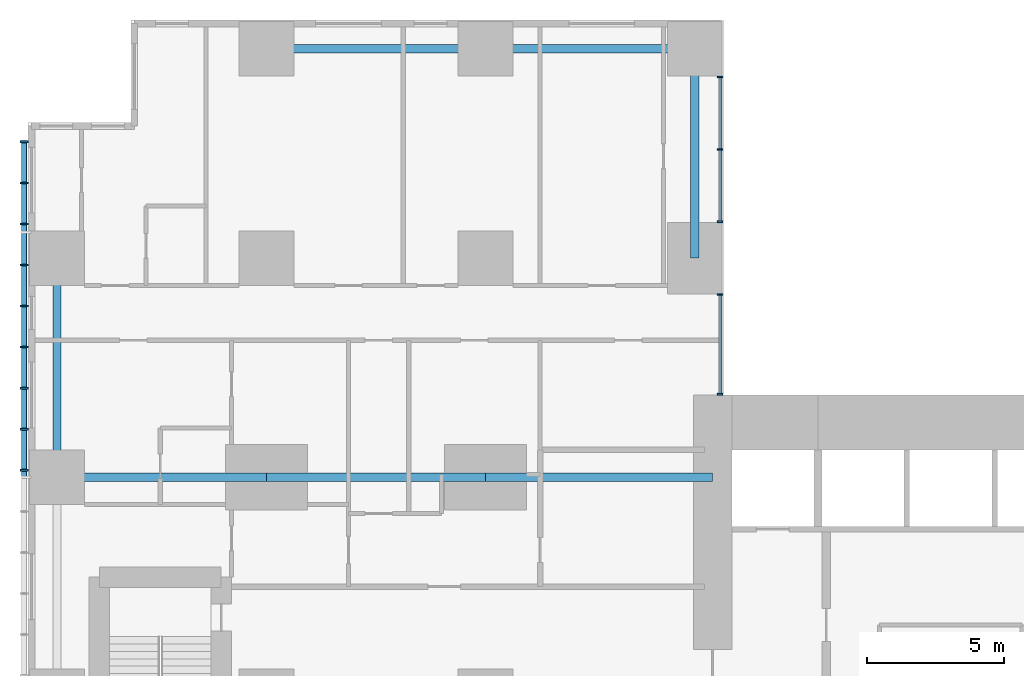
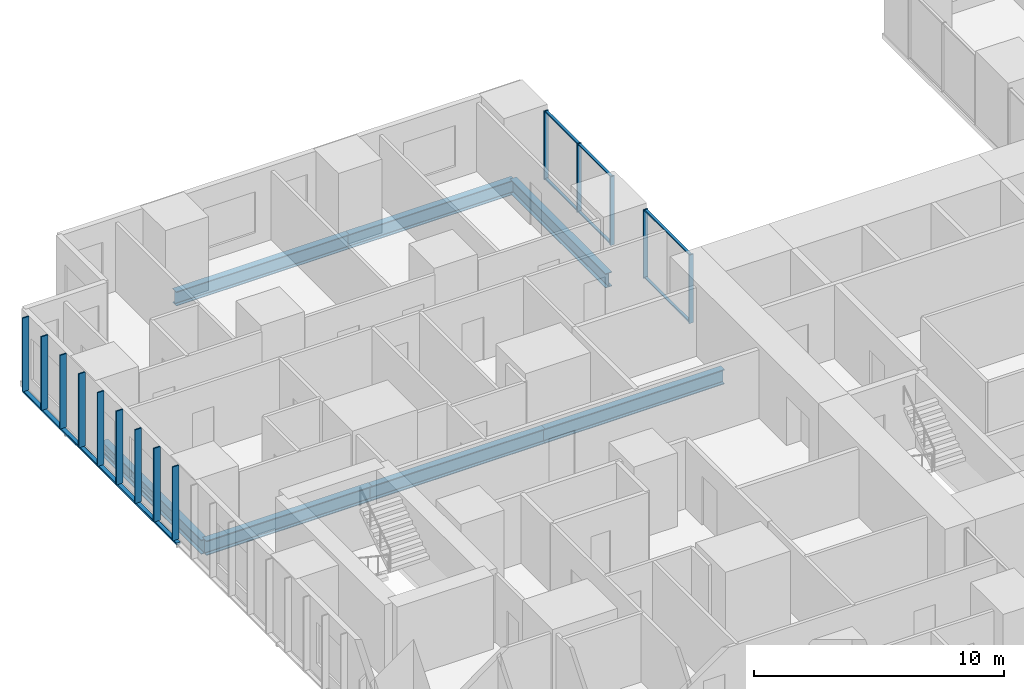
# One storey, part 4 of 20: 21 members, 7 beams, 2 elements without a shape of their own.
"""IFC4 building model written with IfcOpenShell, lengths in metres."""

from ifc_helpers import new_model, si_unit, direction, frame, origin, origin_2d, place, context, subcontext, project, spatial, rectangle, hollow_rectangle, i_section, extrude, material, layer, layer_set, material_profile, profile_set, type_object, element, aggregate, save


model = new_model("IFC4")

# Units and contexts
model_context = context("Model", 3, precision=1e-05, world=origin(), true_north=direction((0.0, 1.0)))
body_context = subcontext(model_context, "Body", "Model", "MODEL_VIEW")
ifc_project = project(units=[si_unit("LENGTHUNIT", "METRE"), si_unit("AREAUNIT", "SQUARE_METRE"), si_unit("VOLUMEUNIT", "CUBIC_METRE"), si_unit("PLANEANGLEUNIT", "RADIAN"), si_unit("MASSUNIT", "GRAM", prefix="KILO")], contexts=[model_context])

# Site, building, storey
site_placement = place(None, origin())
site = spatial("IfcSite", under=ifc_project, at=site_placement, CompositionType="ELEMENT")
building_placement = place(site_placement, origin())
building = spatial("IfcBuilding", under=site, at=building_placement, Name="Cleftline Residences", CompositionType="ELEMENT")
storey_placement = place(building_placement, frame((0.0, 0.0, 33.199951171875)))
storey = spatial("IfcBuildingStorey", under=building, at=storey_placement, Name="L07", CompositionType="ELEMENT", Elevation=33.199951171875)

# Member
ifc_material_1 = material(Name="Steel S355, hot-dip galvanised", Category="steel")
ifc_material_profile_1 = material_profile(ifc_material_1, hollow_rectangle(XDim=0.10009765625, YDim=0.199951171875, WallThickness=0.008056640625, InnerFilletRadius=0.008056640625, OuterFilletRadius=0.011962890625, at=origin_2d()))
ifc_profile_set_1 = profile_set([ifc_material_profile_1], Name="Steel S355, hot-dip galvanised")
member_type_1 = type_object("IfcMemberType", Name="BAGUETTE CARRIER RHS 200X100X8", PredefinedType="USERDEFINED", material=ifc_profile_set_1)
member_1_placement = place(storey_placement, frame((-0.85009765625, 44.300048828125, -0.050048828125), z_axis=(0.0, -1.0, 0.0), x_axis=(0.0, 0.0, 1.0)))
element("IfcMember", 1, at=member_1_placement, inside=storey, type_object=member_type_1, Name="Baguette carrier", ObjectType="BAGUETTE CARRIER", PredefinedType="USERDEFINED", context=body_context, shape_type="SweptSolid", body=[
    extrude(hollow_rectangle(XDim=0.10009765625, YDim=0.199951171875, WallThickness=0.008056640625, InnerFilletRadius=0.008056640625, OuterFilletRadius=0.011962890625, at=origin_2d()), origin(), (0.0, 0.0, 1.0), 12.300048828125),
])

# Beams
ifc_material_2 = material(Name="Steel S355", Category="steel")
ifc_material_profile_2 = material_profile(ifc_material_2, i_section(OverallWidth=0.300048828125, OverallDepth=0.699951171875, WebThickness=0.01708984375, FlangeThickness=0.031982421875, FilletRadius=0.027099609375, at=origin_2d()))
ifc_profile_set_2 = profile_set([ifc_material_profile_2], Name="Steel S355")
beam_type_1 = type_object("IfcBeamType", Name="BEAM HEB 700", PredefinedType="BEAM", material=ifc_profile_set_2)
for number, where, z_axis, x_axis, name in (
    (2, (0.35009765625, 32.0, -0.599853515625), (0.0, 1.0, 0.0), (-1.0, 0.0, 0.0), "Edge beam"),
    (3, (8.0, 47.64990234375, -0.599853515625), (1.0, 0.0, 0.0), (0.0, 1.0, 0.0), "Edge beam"),
):
    element("IfcBeam", number, at=place(storey_placement, frame(where, z_axis=z_axis, x_axis=x_axis)), inside=storey, type_object=beam_type_1, Name=name, PredefinedType="BEAM", context=body_context, shape_type="SweptSolid", body=[
        extrude(i_section(OverallWidth=0.300048828125, OverallDepth=0.699951171875, WebThickness=0.01708984375, FlangeThickness=0.031982421875, FilletRadius=0.027099609375, at=origin_2d()), origin(), (0.0, 0.0, 1.0), 8.0),
    ])
for number, where, z_axis, x_axis, name in (
    (4, (16.0, 47.64990234375, -0.599853515625), (1.0, 0.0, 0.0), (0.0, 1.0, 0.0), "Edge beam"),
    (5, (23.64990234375, 47.64990234375, -0.599853515625), (0.0, -1.0, 0.0), (1.0, 0.0, 0.0), "Edge beam"),
):
    element("IfcBeam", number, at=place(storey_placement, frame(where, z_axis=z_axis, x_axis=x_axis)), inside=storey, type_object=beam_type_1, Name=name, PredefinedType="BEAM", context=body_context, shape_type="SweptSolid", body=[
        extrude(i_section(OverallWidth=0.300048828125, OverallDepth=0.699951171875, WebThickness=0.01708984375, FlangeThickness=0.031982421875, FilletRadius=0.027099609375, at=origin_2d()), origin(), (0.0, 0.0, 1.0), 7.64990234375),
    ])
ifc_material_3 = material(Name="Steel S355", Category="steel")
ifc_material_profile_3 = material_profile(ifc_material_3, i_section(OverallWidth=0.303955078125, OverallDepth=0.716064453125, WebThickness=0.02099609375, FlangeThickness=0.0400390625, FilletRadius=0.027099609375, at=origin_2d()))
ifc_profile_set_3 = profile_set([ifc_material_profile_3], Name="Steel S355")
beam_type_2 = type_object("IfcBeamType", Name="BEAM HEM 700", PredefinedType="BEAM", material=ifc_profile_set_3)
beam_1_placement = place(storey_placement, frame((0.35009765625, 32.0, -0.60791015625), z_axis=(1.0, 0.0, 0.0), x_axis=(0.0, 1.0, 0.0)))
element("IfcBeam", 6, at=beam_1_placement, inside=storey, type_object=beam_type_2, Name="Band beam", PredefinedType="BEAM", context=body_context, shape_type="SweptSolid", body=[
    extrude(i_section(OverallWidth=0.303955078125, OverallDepth=0.716064453125, WebThickness=0.02099609375, FlangeThickness=0.0400390625, FilletRadius=0.027099609375, at=origin_2d()), origin(), (0.0, 0.0, 1.0), 7.64990234375),
])
beam_2_placement = place(storey_placement, frame((8.0, 32.0, -0.60791015625), z_axis=(1.0, 0.0, 0.0), x_axis=(0.0, 1.0, 0.0)))
element("IfcBeam", 7, at=beam_2_placement, inside=storey, type_object=beam_type_2, Name="Band beam", PredefinedType="BEAM", context=body_context, shape_type="SweptSolid", body=[
    extrude(i_section(OverallWidth=0.303955078125, OverallDepth=0.716064453125, WebThickness=0.02099609375, FlangeThickness=0.0400390625, FilletRadius=0.027099609375, at=origin_2d()), origin(), (0.0, 0.0, 1.0), 8.0),
])
beam_3_placement = place(storey_placement, frame((16.0, 32.0, -0.60791015625), z_axis=(1.0, 0.0, 0.0), x_axis=(0.0, 1.0, 0.0)))
element("IfcBeam", 8, at=beam_3_placement, inside=storey, type_object=beam_type_2, Name="Band beam", PredefinedType="BEAM", context=body_context, shape_type="SweptSolid", body=[
    extrude(i_section(OverallWidth=0.303955078125, OverallDepth=0.716064453125, WebThickness=0.02099609375, FlangeThickness=0.0400390625, FilletRadius=0.027099609375, at=origin_2d()), origin(), (0.0, 0.0, 1.0), 8.300048828125),
])

# Curtain wall, members
ifc_material_4 = material(Name="Aluminium framed curtain wall", Category="aluminium")
ifc_layer = layer(ifc_material_4, 0.199951171875)
ifc_layer_set = layer_set([ifc_layer], Name="CW1 CLEFT GLAZING")
curtain_wall_type = type_object("IfcCurtainWallType", Name="CW1 CLEFT GLAZING", PredefinedType="NOTDEFINED", material=ifc_layer_set)
curtain_wall_1_placement = place(storey_placement, origin())
curtain_wall_1 = element("IfcCurtainWall", 9, at=curtain_wall_1_placement, inside=storey, type_object=curtain_wall_type, Name="Curtain wall CW1", PredefinedType="NOTDEFINED")
ifc_material_5 = material(Name="Aluminium mullion", Category="aluminium")
ifc_material_profile_4 = material_profile(ifc_material_5, rectangle(XDim=0.199951171875, YDim=0.06005859375, at=origin_2d()))
ifc_profile_set_4 = profile_set([ifc_material_profile_4], Name="Aluminium mullion")
member_type_2 = type_object("IfcMemberType", Name="CW1 MULLION", PredefinedType="MULLION", material=ifc_profile_set_4)
member_2_placement = place(storey_placement, frame((24.574951171875, 35.030029296875, 0.0), z_axis=(0.0, 0.0, 1.0), x_axis=(-1.0, 0.0, 0.0)))
member_2 = element("IfcMember", 10, at=member_2_placement, type_object=member_type_2, Name="CW1 mullion 1", PredefinedType="MULLION", context=body_context, shape_type="SweptSolid", body=[
    extrude(rectangle(XDim=0.199951171875, YDim=0.06005859375, at=origin_2d()), origin(), (0.0, 0.0, 1.0), 3.35009765625),
])
member_3_placement = place(storey_placement, frame((24.574951171875, 38.669921875, 0.0), z_axis=(0.0, 0.0, 1.0), x_axis=(-1.0, 0.0, 0.0)))
member_3 = element("IfcMember", 11, at=member_3_placement, type_object=member_type_2, Name="CW1 mullion 2", PredefinedType="MULLION", context=body_context, shape_type="SweptSolid", body=[
    extrude(rectangle(XDim=0.199951171875, YDim=0.06005859375, at=origin_2d()), origin(), (0.0, 0.0, 1.0), 3.35009765625),
])

curtain_wall_2_placement = place(storey_placement, origin())
curtain_wall_2 = element("IfcCurtainWall", 12, at=curtain_wall_2_placement, inside=storey, type_object=curtain_wall_type, Name="Curtain wall CW1", PredefinedType="NOTDEFINED")
member_4_placement = place(storey_placement, frame((24.574951171875, 41.330078125, 0.0), z_axis=(0.0, 0.0, 1.0), x_axis=(-1.0, 0.0, 0.0)))
member_4 = element("IfcMember", 13, at=member_4_placement, type_object=member_type_2, Name="CW1 mullion 1", PredefinedType="MULLION", context=body_context, shape_type="SweptSolid", body=[
    extrude(rectangle(XDim=0.199951171875, YDim=0.06005859375, at=origin_2d()), origin(), (0.0, 0.0, 1.0), 3.35009765625),
])
member_5_placement = place(storey_placement, frame((24.574951171875, 43.97509765625, 0.0), z_axis=(0.0, 0.0, 1.0), x_axis=(-1.0, 0.0, 0.0)))
member_5 = element("IfcMember", 14, at=member_5_placement, type_object=member_type_2, Name="CW1 mullion 2", PredefinedType="MULLION", context=body_context, shape_type="SweptSolid", body=[
    extrude(rectangle(XDim=0.199951171875, YDim=0.06005859375, at=origin_2d()), origin(), (0.0, 0.0, 1.0), 3.35009765625),
])
member_6_placement = place(storey_placement, frame((24.574951171875, 46.6201171875, 0.0), z_axis=(0.0, 0.0, 1.0), x_axis=(-1.0, 0.0, 0.0)))
member_6 = element("IfcMember", 15, at=member_6_placement, type_object=member_type_2, Name="CW1 mullion 3", PredefinedType="MULLION", context=body_context, shape_type="SweptSolid", body=[
    extrude(rectangle(XDim=0.199951171875, YDim=0.06005859375, at=origin_2d()), origin(), (0.0, 0.0, 1.0), 3.35009765625),
])

# Member
ifc_material_6 = material(Name="Aluminium transom", Category="aluminium")
ifc_material_profile_5 = material_profile(ifc_material_6, rectangle(XDim=0.1201171875, YDim=0.06005859375, at=origin_2d()))
ifc_profile_set_5 = profile_set([ifc_material_profile_5], Name="Aluminium transom")
member_type_3 = type_object("IfcMemberType", Name="CW1 TRANSOM", PredefinedType="USERDEFINED", material=ifc_profile_set_5)
member_7_placement = place(storey_placement, frame((24.574951171875, 35.06005859375, 0.030029296875), z_axis=(0.0, 1.0, 0.0), x_axis=(-1.0, 0.0, 0.0)))
member_7 = element("IfcMember", 16, at=member_7_placement, type_object=member_type_3, Name="CW1 transom 1.1", ObjectType="TRANSOM", PredefinedType="USERDEFINED", context=body_context, shape_type="SweptSolid", body=[
    extrude(rectangle(XDim=0.1201171875, YDim=0.06005859375, at=origin_2d()), origin(), (0.0, 0.0, 1.0), 3.579833984375),
])

member_8_placement = place(storey_placement, frame((24.574951171875, 35.06005859375, 3.320068359375), z_axis=(0.0, 1.0, 0.0), x_axis=(-1.0, 0.0, 0.0)))
member_8 = element("IfcMember", 17, at=member_8_placement, type_object=member_type_3, Name="CW1 transom 1.2", ObjectType="TRANSOM", PredefinedType="USERDEFINED", context=body_context, shape_type="SweptSolid", body=[
    extrude(rectangle(XDim=0.1201171875, YDim=0.06005859375, at=origin_2d()), origin(), (0.0, 0.0, 1.0), 3.579833984375),
])

aggregate(curtain_wall_1, [member_2, member_3, member_7, member_8])

member_9_placement = place(storey_placement, frame((24.574951171875, 41.360107421875, 0.030029296875), z_axis=(0.0, 1.0, 0.0), x_axis=(-1.0, 0.0, 0.0)))
member_9 = element("IfcMember", 18, at=member_9_placement, type_object=member_type_3, Name="CW1 transom 1.1", ObjectType="TRANSOM", PredefinedType="USERDEFINED", context=body_context, shape_type="SweptSolid", body=[
    extrude(rectangle(XDim=0.1201171875, YDim=0.06005859375, at=origin_2d()), origin(), (0.0, 0.0, 1.0), 2.5849609375),
])

member_10_placement = place(storey_placement, frame((24.574951171875, 41.360107421875, 3.320068359375), z_axis=(0.0, 1.0, 0.0), x_axis=(-1.0, 0.0, 0.0)))
member_10 = element("IfcMember", 19, at=member_10_placement, type_object=member_type_3, Name="CW1 transom 1.2", ObjectType="TRANSOM", PredefinedType="USERDEFINED", context=body_context, shape_type="SweptSolid", body=[
    extrude(rectangle(XDim=0.1201171875, YDim=0.06005859375, at=origin_2d()), origin(), (0.0, 0.0, 1.0), 2.5849609375),
])

member_11_placement = place(storey_placement, frame((24.574951171875, 44.0048828125, 0.030029296875), z_axis=(0.0, 1.0, 0.0), x_axis=(-1.0, 0.0, 0.0)))
member_11 = element("IfcMember", 20, at=member_11_placement, type_object=member_type_3, Name="CW1 transom 2.1", ObjectType="TRANSOM", PredefinedType="USERDEFINED", context=body_context, shape_type="SweptSolid", body=[
    extrude(rectangle(XDim=0.1201171875, YDim=0.06005859375, at=origin_2d()), origin(), (0.0, 0.0, 1.0), 2.585205078125),
])

member_12_placement = place(storey_placement, frame((24.574951171875, 44.0048828125, 3.320068359375), z_axis=(0.0, 1.0, 0.0), x_axis=(-1.0, 0.0, 0.0)))
member_12 = element("IfcMember", 21, at=member_12_placement, type_object=member_type_3, Name="CW1 transom 2.2", ObjectType="TRANSOM", PredefinedType="USERDEFINED", context=body_context, shape_type="SweptSolid", body=[
    extrude(rectangle(XDim=0.1201171875, YDim=0.06005859375, at=origin_2d()), origin(), (0.0, 0.0, 1.0), 2.585205078125),
])

aggregate(curtain_wall_2, [member_4, member_5, member_6, member_9, member_10, member_11, member_12])

# Members
ifc_material_7 = material(Name="Extruded terracotta", Category="masonry")
ifc_material_profile_6 = material_profile(ifc_material_7, rectangle(XDim=0.06005859375, YDim=0.300048828125, at=origin_2d()))
ifc_profile_set_6 = profile_set([ifc_material_profile_6], Name="Extruded terracotta")
member_type_4 = type_object("IfcMemberType", Name="TERRACOTTA BAGUETTE 60X300", PredefinedType="USERDEFINED", material=ifc_profile_set_6)
for number, where, z_axis, x_axis, name in (
    (22, (-0.85009765625, 44.25, 0.0), (0.0, 0.0, 1.0), (0.0, 1.0, 0.0), "Terracotta baguette"),
    (23, (-0.85009765625, 42.75, 0.0), (0.0, 0.0, 1.0), (0.0, 1.0, 0.0), "Terracotta baguette"),
    (24, (-0.85009765625, 41.25, 0.0), (0.0, 0.0, 1.0), (0.0, 1.0, 0.0), "Terracotta baguette"),
    (25, (-0.85009765625, 39.75, 0.0), (0.0, 0.0, 1.0), (0.0, 1.0, 0.0), "Terracotta baguette"),
    (26, (-0.85009765625, 38.25, 0.0), (0.0, 0.0, 1.0), (0.0, 1.0, 0.0), "Terracotta baguette"),
    (27, (-0.85009765625, 36.75, 0.0), (0.0, 0.0, 1.0), (0.0, 1.0, 0.0), "Terracotta baguette"),
    (28, (-0.85009765625, 35.25, 0.0), (0.0, 0.0, 1.0), (0.0, 1.0, 0.0), "Terracotta baguette"),
    (29, (-0.85009765625, 33.75, 0.0), (0.0, 0.0, 1.0), (0.0, 1.0, 0.0), "Terracotta baguette"),
    (30, (-0.85009765625, 32.25, 0.0), (0.0, 0.0, 1.0), (0.0, 1.0, 0.0), "Terracotta baguette"),
):
    element("IfcMember", number, at=place(storey_placement, frame(where, z_axis=z_axis, x_axis=x_axis)), inside=storey, type_object=member_type_4, Name=name, ObjectType="BAGUETTE", PredefinedType="USERDEFINED", context=body_context, shape_type="SweptSolid", body=[
        extrude(rectangle(XDim=0.06005859375, YDim=0.300048828125, at=origin_2d()), origin(), (0.0, 0.0, 1.0), 3.60009765625),
    ])

save(model, "model.ifc")
